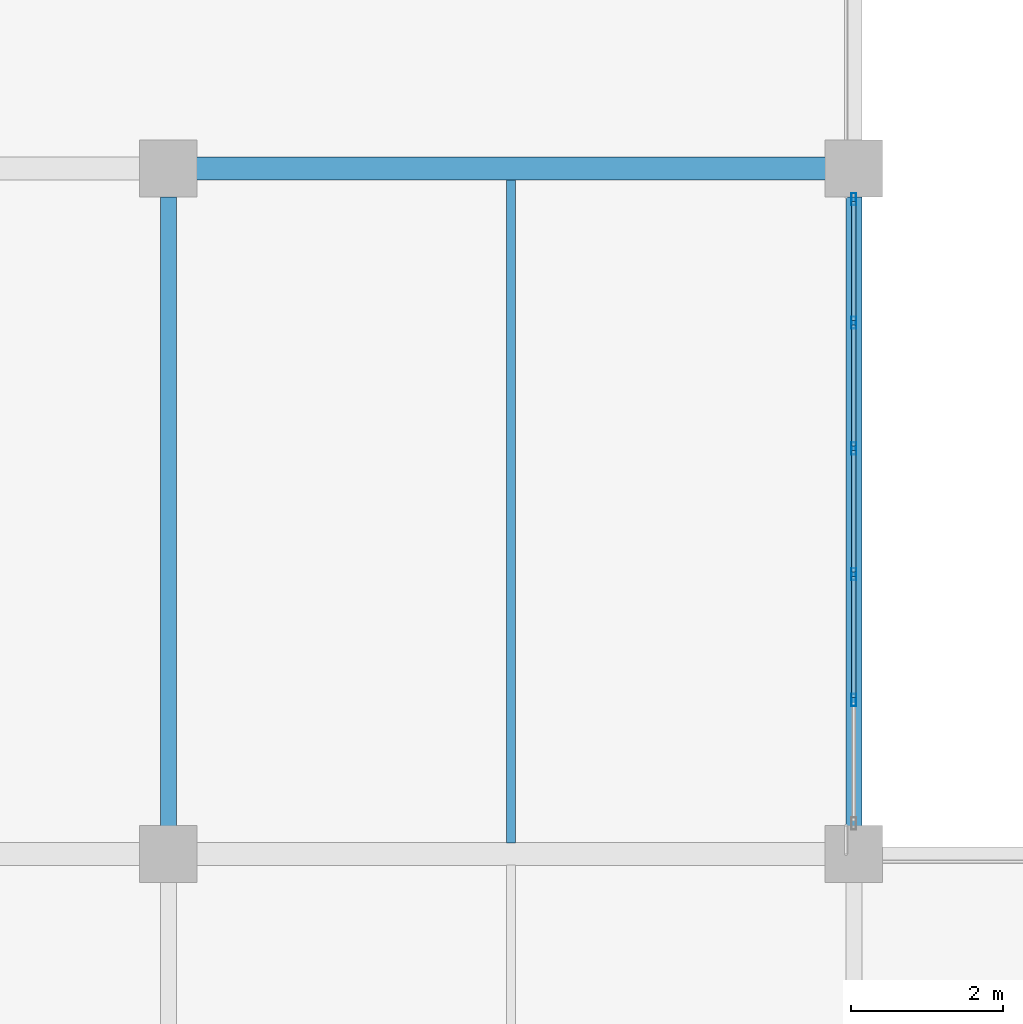
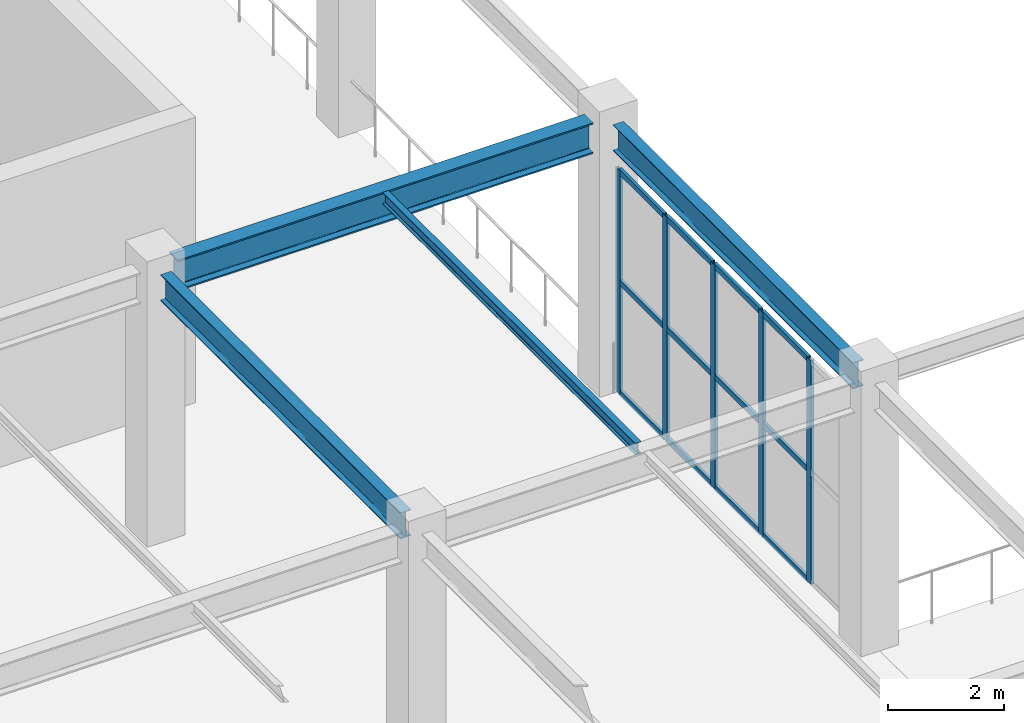
# One storey, part 59 of 223: 17 members, 4 beams, 1 element without a shape of its own.
"""IFC4 building model written with IfcOpenShell, lengths in metres."""

from ifc_helpers import new_model, si_unit, direction, frame, origin, origin_2d, place, context, subcontext, project, spatial, hollow_rectangle, i_section, extrude, material, layer, layer_set, material_profile, profile_set, type_object, element, aggregate, save


model = new_model("IFC4")

# Units and contexts
model_context = context("Model", 3, precision=1e-05, world=origin(), true_north=direction((0.0, 1.0)))
body_context = subcontext(model_context, "Body", "Model", "MODEL_VIEW")
ifc_project = project(units=[si_unit("LENGTHUNIT", "METRE"), si_unit("AREAUNIT", "SQUARE_METRE"), si_unit("VOLUMEUNIT", "CUBIC_METRE"), si_unit("PLANEANGLEUNIT", "RADIAN"), si_unit("MASSUNIT", "GRAM", prefix="KILO")], contexts=[model_context])

# Site, building, storey
site_placement = place(None, origin())
site = spatial("IfcSite", under=ifc_project, at=site_placement, CompositionType="ELEMENT")
building_placement = place(site_placement, origin())
building = spatial("IfcBuilding", under=site, at=building_placement, Name="Dornveld Trade and Exhibition Forum", CompositionType="ELEMENT")
storey_placement = place(building_placement, frame((0.0, 0.0, 6.0)))
storey = spatial("IfcBuildingStorey", under=building, at=storey_placement, Name="L01", CompositionType="ELEMENT", Elevation=6.0)

# Beams
ifc_material_1 = material(Name="Steel S355J2", Category="steel")
ifc_material_profile_1 = material_profile(ifc_material_1, i_section(OverallWidth=0.300048828125, OverallDepth=0.64990234375, WebThickness=0.01611328125, FlangeThickness=0.031005859375, FilletRadius=0.027099609375, at=origin_2d()), Name="HEB 650")
ifc_profile_set_1 = profile_set([ifc_material_profile_1], Name="Steel S355J2")
beam_type_1 = type_object("IfcBeamType", Name="BM-GIR-HEB650", PredefinedType="USERDEFINED", material=ifc_profile_set_1)
beam_1_placement = place(storey_placement, frame((144.37109375, 63.0, 5.31494140625), z_axis=(1.0, 0.0, 0.0), x_axis=(0.0, 1.0, 0.0)))
element("IfcBeam", 1, at=beam_1_placement, inside=storey, type_object=beam_type_1, Name="L01 X-girder 1177", ObjectType="GIRDER", PredefinedType="USERDEFINED", context=body_context, shape_type="SweptSolid", body=[
    extrude(i_section(OverallWidth=0.300048828125, OverallDepth=0.64990234375, WebThickness=0.01611328125, FlangeThickness=0.031005859375, FilletRadius=0.027099609375, at=origin_2d()), origin(), (0.0, 0.0, 1.0), 8.2578125),
])
ifc_material_2 = material(Name="Steel S355J2", Category="steel")
ifc_material_profile_2 = material_profile(ifc_material_2, i_section(OverallWidth=0.1201171875, OverallDepth=0.239990234375, WebThickness=0.006103515625, FlangeThickness=0.009765625, FilletRadius=0.014892578125, at=origin_2d()), Name="IPE 240")
ifc_profile_set_2 = profile_set([ifc_material_profile_2], Name="Steel S355J2")
beam_type_2 = type_object("IfcBeamType", Name="BM-JOIST-240", PredefinedType="JOIST", material=ifc_profile_set_2)
beam_2_placement = place(storey_placement, frame((148.5, 54.14697265625, 5.52001953125), z_axis=(0.0, 1.0, 0.0), x_axis=(-1.0, 0.0, 0.0)))
element("IfcBeam", 2, at=beam_2_placement, inside=storey, type_object=beam_type_2, Name="L01 secondary joist 1274", PredefinedType="JOIST", context=body_context, shape_type="SweptSolid", body=[
    extrude(i_section(OverallWidth=0.1201171875, OverallDepth=0.239990234375, WebThickness=0.006103515625, FlangeThickness=0.009765625, FilletRadius=0.014892578125, at=origin_2d()), origin(), (0.0, 0.0, 1.0), 8.7060546875),
])
ifc_material_3 = material(Name="Steel S355J2", Category="steel")
ifc_material_profile_3 = material_profile(ifc_material_3, i_section(OverallWidth=0.2099609375, OverallDepth=0.550048828125, WebThickness=0.010986328125, FlangeThickness=0.01708984375, FilletRadius=0.02392578125, at=origin_2d()), Name="IPE 550")
ifc_profile_set_3 = profile_set([ifc_material_profile_3], Name="Steel S355J2")
beam_type_3 = type_object("IfcBeamType", Name="BM-SEC-550", PredefinedType="BEAM", material=ifc_profile_set_3)
for number, where, z_axis, x_axis, name in (
    (3, (144.0, 54.37109375, 5.364990234375), (0.0, 1.0, 0.0), (-1.0, 0.0, 0.0), "L01 Y-girder 1240"),
    (4, (153.0, 54.37109375, 5.364990234375), (0.0, 1.0, 0.0), (-1.0, 0.0, 0.0), "L01 Y-girder 1244"),
):
    element("IfcBeam", number, at=place(storey_placement, frame(where, z_axis=z_axis, x_axis=x_axis)), inside=storey, type_object=beam_type_3, Name=name, PredefinedType="BEAM", context=body_context, shape_type="SweptSolid", body=[
        extrude(i_section(OverallWidth=0.2099609375, OverallDepth=0.550048828125, WebThickness=0.010986328125, FlangeThickness=0.01708984375, FilletRadius=0.02392578125, at=origin_2d()), origin(), (0.0, 0.0, 1.0), 8.2578125),
    ])

# Curtain wall, members
ifc_material_4 = material(Name="Dark-bronze anodised aluminium and low-E glass", Category="aluminium")
ifc_layer = layer(ifc_material_4, 0.159912109375)
ifc_layer_set = layer_set([ifc_layer], Name="Dark-bronze anodised aluminium and low-E glass")
curtain_wall_type = type_object("IfcCurtainWallType", Name="CW-SYS-06", PredefinedType="USERDEFINED", material=ifc_layer_set)
curtain_wall_placement = place(storey_placement, origin())
curtain_wall = element("IfcCurtainWall", 5, at=curtain_wall_placement, inside=storey, type_object=curtain_wall_type, Name="L01 unitised curtain wall 60", ObjectType="UNITISED_CURTAIN_WALL", PredefinedType="USERDEFINED")
ifc_material_5 = material(Name="Dark-bronze anodised aluminium", Category="aluminium")
ifc_material_profile_4 = material_profile(ifc_material_5, hollow_rectangle(XDim=0.06005859375, YDim=0.159912109375, WallThickness=0.00390625, at=origin_2d()), Name="RHS 160x60x4")
ifc_profile_set_4 = profile_set([ifc_material_profile_4], Name="Dark-bronze anodised aluminium")
member_type_1 = type_object("IfcMemberType", Name="CW-MUL-160", PredefinedType="MULLION", material=ifc_profile_set_4)
member_1_placement = place(storey_placement, frame((153.0, 56.022705078125, -0.00390625), z_axis=(0.0, 0.0, 1.0), x_axis=(-1.0, 0.0, 0.0)))
member_1 = element("IfcMember", 6, at=member_1_placement, type_object=member_type_1, Name="CW-06 mullion 2", PredefinedType="MULLION", context=body_context, shape_type="SweptSolid", body=[
    extrude(hollow_rectangle(XDim=0.06005859375, YDim=0.159912109375, WallThickness=0.00390625, at=origin_2d()), origin(), (0.0, 0.0, 1.0), 4.703857421875),
])
member_2_placement = place(storey_placement, frame((153.0, 57.67431640625, -0.00390625), z_axis=(0.0, 0.0, 1.0), x_axis=(-1.0, 0.0, 0.0)))
member_2 = element("IfcMember", 7, at=member_2_placement, type_object=member_type_1, Name="CW-06 mullion 3", PredefinedType="MULLION", context=body_context, shape_type="SweptSolid", body=[
    extrude(hollow_rectangle(XDim=0.06005859375, YDim=0.159912109375, WallThickness=0.00390625, at=origin_2d()), origin(), (0.0, 0.0, 1.0), 4.703857421875),
])
member_3_placement = place(storey_placement, frame((153.0, 59.32568359375, -0.00390625), z_axis=(0.0, 0.0, 1.0), x_axis=(-1.0, 0.0, 0.0)))
member_3 = element("IfcMember", 8, at=member_3_placement, type_object=member_type_1, Name="CW-06 mullion 4", PredefinedType="MULLION", context=body_context, shape_type="SweptSolid", body=[
    extrude(hollow_rectangle(XDim=0.06005859375, YDim=0.159912109375, WallThickness=0.00390625, at=origin_2d()), origin(), (0.0, 0.0, 1.0), 4.703857421875),
])
member_4_placement = place(storey_placement, frame((153.0, 60.977294921875, -0.00390625), z_axis=(0.0, 0.0, 1.0), x_axis=(-1.0, 0.0, 0.0)))
member_4 = element("IfcMember", 9, at=member_4_placement, type_object=member_type_1, Name="CW-06 mullion 5", PredefinedType="MULLION", context=body_context, shape_type="SweptSolid", body=[
    extrude(hollow_rectangle(XDim=0.06005859375, YDim=0.159912109375, WallThickness=0.00390625, at=origin_2d()), origin(), (0.0, 0.0, 1.0), 4.703857421875),
])
member_5_placement = place(storey_placement, frame((153.0, 62.59912109375, -0.00390625), z_axis=(0.0, 0.0, 1.0), x_axis=(-1.0, 0.0, 0.0)))
member_5 = element("IfcMember", 10, at=member_5_placement, type_object=member_type_1, Name="CW-06 mullion 6", PredefinedType="MULLION", context=body_context, shape_type="SweptSolid", body=[
    extrude(hollow_rectangle(XDim=0.06005859375, YDim=0.159912109375, WallThickness=0.00390625, at=origin_2d()), origin(), (0.0, 0.0, 1.0), 4.703857421875),
])
ifc_material_6 = material(Name="Dark-bronze anodised aluminium", Category="aluminium")
ifc_material_profile_5 = material_profile(ifc_material_6, hollow_rectangle(XDim=0.06005859375, YDim=0.1201171875, WallThickness=0.00390625, at=origin_2d()), Name="RHS 120x60x4")
ifc_profile_set_5 = profile_set([ifc_material_profile_5], Name="Dark-bronze anodised aluminium")
member_type_2 = type_object("IfcMemberType", Name="CW-TRN-120", PredefinedType="USERDEFINED", material=ifc_profile_set_5)
member_6_placement = place(storey_placement, frame((153.0, 56.052490234375, 0.02587890625), z_axis=(0.0, 1.0, 0.0), x_axis=(-1.0, 0.0, 0.0)))
member_6 = element("IfcMember", 11, at=member_6_placement, type_object=member_type_2, Name="CW-06 transom 2.1", ObjectType="TRANSOM", PredefinedType="USERDEFINED", context=body_context, shape_type="SweptSolid", body=[
    extrude(hollow_rectangle(XDim=0.06005859375, YDim=0.1201171875, WallThickness=0.00390625, at=origin_2d()), origin(), (0.0, 0.0, 1.0), 1.591796875),
])
member_7_placement = place(storey_placement, frame((153.0, 56.052490234375, 2.347900390625), z_axis=(0.0, 1.0, 0.0), x_axis=(-1.0, 0.0, 0.0)))
member_7 = element("IfcMember", 12, at=member_7_placement, type_object=member_type_2, Name="CW-06 transom 2.2", ObjectType="TRANSOM", PredefinedType="USERDEFINED", context=body_context, shape_type="SweptSolid", body=[
    extrude(hollow_rectangle(XDim=0.06005859375, YDim=0.1201171875, WallThickness=0.00390625, at=origin_2d()), origin(), (0.0, 0.0, 1.0), 1.591796875),
])
member_8_placement = place(storey_placement, frame((153.0, 56.052490234375, 4.669921875), z_axis=(0.0, 1.0, 0.0), x_axis=(-1.0, 0.0, 0.0)))
member_8 = element("IfcMember", 13, at=member_8_placement, type_object=member_type_2, Name="CW-06 transom 2.3", ObjectType="TRANSOM", PredefinedType="USERDEFINED", context=body_context, shape_type="SweptSolid", body=[
    extrude(hollow_rectangle(XDim=0.06005859375, YDim=0.1201171875, WallThickness=0.00390625, at=origin_2d()), origin(), (0.0, 0.0, 1.0), 1.591796875),
])
member_9_placement = place(storey_placement, frame((153.0, 57.7041015625, 0.02587890625), z_axis=(0.0, 1.0, 0.0), x_axis=(-1.0, 0.0, 0.0)))
member_9 = element("IfcMember", 14, at=member_9_placement, type_object=member_type_2, Name="CW-06 transom 3.1", ObjectType="TRANSOM", PredefinedType="USERDEFINED", context=body_context, shape_type="SweptSolid", body=[
    extrude(hollow_rectangle(XDim=0.06005859375, YDim=0.1201171875, WallThickness=0.00390625, at=origin_2d()), origin(), (0.0, 0.0, 1.0), 1.591796875),
])
member_10_placement = place(storey_placement, frame((153.0, 57.7041015625, 2.347900390625), z_axis=(0.0, 1.0, 0.0), x_axis=(-1.0, 0.0, 0.0)))
member_10 = element("IfcMember", 15, at=member_10_placement, type_object=member_type_2, Name="CW-06 transom 3.2", ObjectType="TRANSOM", PredefinedType="USERDEFINED", context=body_context, shape_type="SweptSolid", body=[
    extrude(hollow_rectangle(XDim=0.06005859375, YDim=0.1201171875, WallThickness=0.00390625, at=origin_2d()), origin(), (0.0, 0.0, 1.0), 1.591796875),
])
member_11_placement = place(storey_placement, frame((153.0, 57.7041015625, 4.669921875), z_axis=(0.0, 1.0, 0.0), x_axis=(-1.0, 0.0, 0.0)))
member_11 = element("IfcMember", 16, at=member_11_placement, type_object=member_type_2, Name="CW-06 transom 3.3", ObjectType="TRANSOM", PredefinedType="USERDEFINED", context=body_context, shape_type="SweptSolid", body=[
    extrude(hollow_rectangle(XDim=0.06005859375, YDim=0.1201171875, WallThickness=0.00390625, at=origin_2d()), origin(), (0.0, 0.0, 1.0), 1.591796875),
])
member_12_placement = place(storey_placement, frame((153.0, 59.355712890625, 0.02587890625), z_axis=(0.0, 1.0, 0.0), x_axis=(-1.0, 0.0, 0.0)))
member_12 = element("IfcMember", 17, at=member_12_placement, type_object=member_type_2, Name="CW-06 transom 4.1", ObjectType="TRANSOM", PredefinedType="USERDEFINED", context=body_context, shape_type="SweptSolid", body=[
    extrude(hollow_rectangle(XDim=0.06005859375, YDim=0.1201171875, WallThickness=0.00390625, at=origin_2d()), origin(), (0.0, 0.0, 1.0), 1.591796875),
])
member_13_placement = place(storey_placement, frame((153.0, 59.355712890625, 2.347900390625), z_axis=(0.0, 1.0, 0.0), x_axis=(-1.0, 0.0, 0.0)))
member_13 = element("IfcMember", 18, at=member_13_placement, type_object=member_type_2, Name="CW-06 transom 4.2", ObjectType="TRANSOM", PredefinedType="USERDEFINED", context=body_context, shape_type="SweptSolid", body=[
    extrude(hollow_rectangle(XDim=0.06005859375, YDim=0.1201171875, WallThickness=0.00390625, at=origin_2d()), origin(), (0.0, 0.0, 1.0), 1.591796875),
])
member_14_placement = place(storey_placement, frame((153.0, 59.355712890625, 4.669921875), z_axis=(0.0, 1.0, 0.0), x_axis=(-1.0, 0.0, 0.0)))
member_14 = element("IfcMember", 19, at=member_14_placement, type_object=member_type_2, Name="CW-06 transom 4.3", ObjectType="TRANSOM", PredefinedType="USERDEFINED", context=body_context, shape_type="SweptSolid", body=[
    extrude(hollow_rectangle(XDim=0.06005859375, YDim=0.1201171875, WallThickness=0.00390625, at=origin_2d()), origin(), (0.0, 0.0, 1.0), 1.591796875),
])
member_15_placement = place(storey_placement, frame((153.0, 61.00732421875, 0.02587890625), z_axis=(0.0, 1.0, 0.0), x_axis=(-1.0, 0.0, 0.0)))
member_15 = element("IfcMember", 20, at=member_15_placement, type_object=member_type_2, Name="CW-06 transom 5.1", ObjectType="TRANSOM", PredefinedType="USERDEFINED", context=body_context, shape_type="SweptSolid", body=[
    extrude(hollow_rectangle(XDim=0.06005859375, YDim=0.1201171875, WallThickness=0.00390625, at=origin_2d()), origin(), (0.0, 0.0, 1.0), 1.561767578125),
])
member_16_placement = place(storey_placement, frame((153.0, 61.00732421875, 2.347900390625), z_axis=(0.0, 1.0, 0.0), x_axis=(-1.0, 0.0, 0.0)))
member_16 = element("IfcMember", 21, at=member_16_placement, type_object=member_type_2, Name="CW-06 transom 5.2", ObjectType="TRANSOM", PredefinedType="USERDEFINED", context=body_context, shape_type="SweptSolid", body=[
    extrude(hollow_rectangle(XDim=0.06005859375, YDim=0.1201171875, WallThickness=0.00390625, at=origin_2d()), origin(), (0.0, 0.0, 1.0), 1.561767578125),
])
member_17_placement = place(storey_placement, frame((153.0, 61.00732421875, 4.669921875), z_axis=(0.0, 1.0, 0.0), x_axis=(-1.0, 0.0, 0.0)))
member_17 = element("IfcMember", 22, at=member_17_placement, type_object=member_type_2, Name="CW-06 transom 5.3", ObjectType="TRANSOM", PredefinedType="USERDEFINED", context=body_context, shape_type="SweptSolid", body=[
    extrude(hollow_rectangle(XDim=0.06005859375, YDim=0.1201171875, WallThickness=0.00390625, at=origin_2d()), origin(), (0.0, 0.0, 1.0), 1.561767578125),
])
aggregate(curtain_wall, [member_1, member_2, member_3, member_4, member_5, member_6, member_7, member_8, member_9, member_10, member_11, member_12, member_13, member_14, member_15, member_16, member_17])

save(model, "model.ifc")
